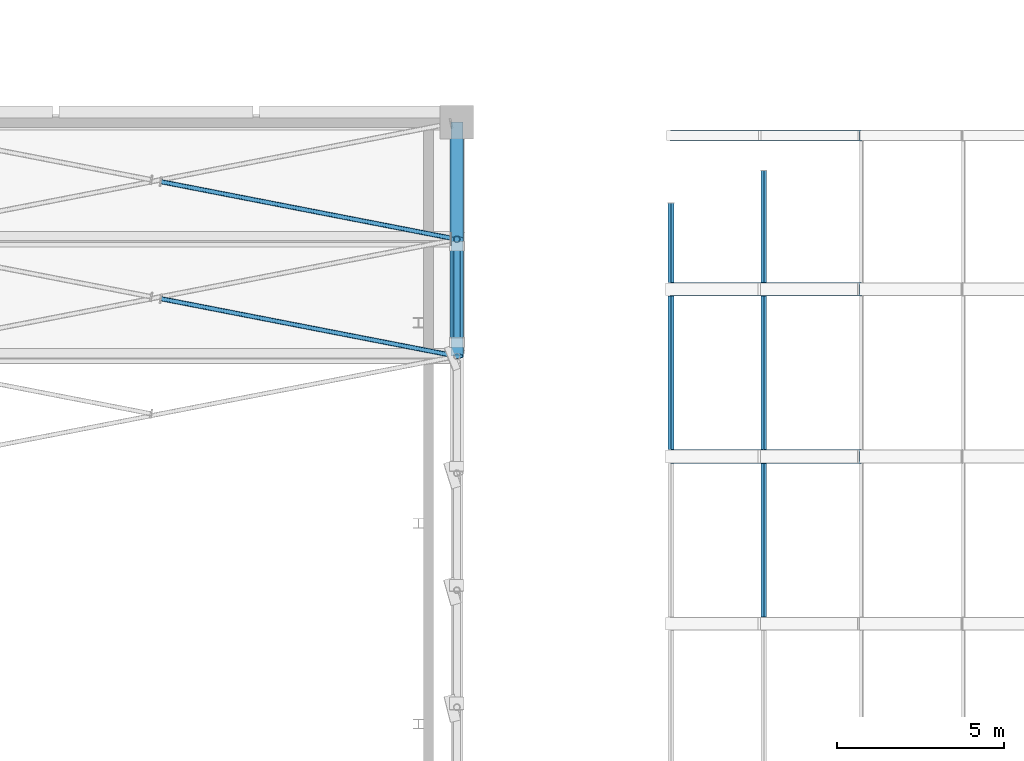
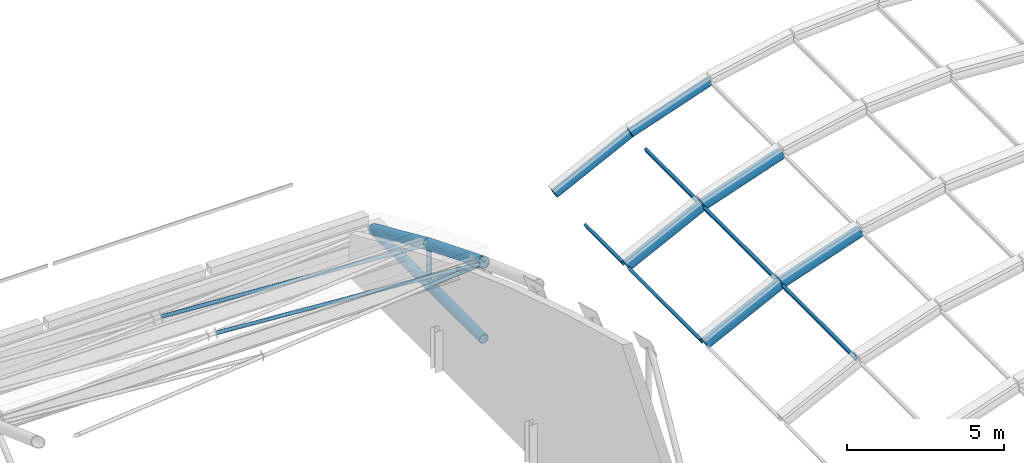
# One storey, part 90 of 196: 18 members.
"""IFC4 building model written with IfcOpenShell, lengths in metres."""

from ifc_helpers import new_model, si_unit, direction, frame, origin, origin_2d, place, context, subcontext, project, spatial, hollow_rectangle, hollow_circle, extrude, material, material_profile, profile_set, type_object, element, save


model = new_model("IFC4")

# Units and contexts
model_context = context("Model", 3, precision=1e-05, world=origin(), true_north=direction((0.0, 1.0)))
body_context = subcontext(model_context, "Body", "Model", "MODEL_VIEW")
ifc_project = project(units=[si_unit("LENGTHUNIT", "METRE"), si_unit("AREAUNIT", "SQUARE_METRE"), si_unit("VOLUMEUNIT", "CUBIC_METRE"), si_unit("PLANEANGLEUNIT", "RADIAN"), si_unit("MASSUNIT", "GRAM", prefix="KILO")], contexts=[model_context])

# Site, building, storey
site_placement = place(None, origin())
site = spatial("IfcSite", under=ifc_project, at=site_placement, CompositionType="ELEMENT")
building_placement = place(site_placement, origin())
building = spatial("IfcBuilding", under=site, at=building_placement, Name="Okhra Congress Centre", CompositionType="ELEMENT")
storey_placement = place(building_placement, frame((0.0, 0.0, 12.0)))
storey = spatial("IfcBuildingStorey", under=building, at=storey_placement, Name="L02", CompositionType="ELEMENT", Elevation=12.0)

# Members
ifc_material_1 = material(Name="Steel S355J2H", Category="steel")
ifc_material_profile_1 = material_profile(ifc_material_1, hollow_circle(Radius=0.06982421875, WallThickness=0.00634765625, at=origin_2d()), Name="CHS 139.7x6.3")
ifc_profile_set_1 = profile_set([ifc_material_profile_1], Name="Steel S355J2H")
member_type_1 = type_object("IfcMemberType", Name="CHS 139.7x6.3", PredefinedType="BRACE", material=ifc_profile_set_1)
member_1_placement = place(storey_placement, frame((153.814453125, 209.0361328125, 4.359619140625), z_axis=(-0.97874056041, 0.19029150725, -0.076524882736), x_axis=(-0.190851145429, -0.981618989368, 0.0)))
element("IfcMember", 1, at=member_1_placement, inside=storey, type_object=member_type_1, Name="EH.MEM.L02.XB7-23-2a", PredefinedType="BRACE", context=body_context, shape_type="SweptSolid", body=[
    extrude(hollow_circle(Radius=0.06982421875, WallThickness=0.00634765625, at=origin_2d()), origin(), (0.0, 0.0, 1.0), 8.85009765625),
])
member_2_placement = place(storey_placement, frame((153.814453125, 212.5361328125, 2.95068359375), z_axis=(-0.978051270157, 0.190181228948, -0.085128215653), x_axis=(-0.190874100976, -0.98161452596, 0.0)))
element("IfcMember", 2, at=member_2_placement, inside=storey, type_object=member_type_1, Name="EH.MEM.L02.XB7-24-2a", PredefinedType="BRACE", context=body_context, shape_type="SweptSolid", body=[
    extrude(hollow_circle(Radius=0.06982421875, WallThickness=0.00634765625, at=origin_2d()), origin(), (0.0, 0.0, 1.0), 8.85888671875),
])
ifc_material_profile_2 = material_profile(ifc_material_1, hollow_circle(Radius=0.096923828125, WallThickness=0.012451171875, at=origin_2d()), Name="CHS 193.7x12.5")
ifc_profile_set_2 = profile_set([ifc_material_profile_2], Name="Steel S355J2H")
member_type_2 = type_object("IfcMemberType", Name="CHS 193.7x12.5", PredefinedType="POST", material=ifc_profile_set_2)
member_3_placement = place(storey_placement, frame((154.0, 212.5, 1.577880859375), z_axis=(0.0, 0.0, 1.0), x_axis=(1.0, 0.0, 0.0)))
element("IfcMember", 3, at=member_3_placement, inside=storey, type_object=member_type_2, Name="EH.MEM.L02.T8-VER-23", PredefinedType="POST", context=body_context, shape_type="SweptSolid", body=[
    extrude(hollow_circle(Radius=0.096923828125, WallThickness=0.012451171875, at=origin_2d()), origin(), (0.0, 0.0, 1.0), 1.168212890625),
])
ifc_material_profile_3 = material_profile(ifc_material_1, hollow_circle(Radius=0.109619140625, WallThickness=0.012451171875, at=origin_2d()), Name="CHS 219.1x12.5")
ifc_profile_set_3 = profile_set([ifc_material_profile_3], Name="Steel S355J2H")
member_type_3 = type_object("IfcMemberType", Name="CHS 219.1x12.5", PredefinedType="BRACE", material=ifc_profile_set_3)
member_4_placement = place(storey_placement, frame((154.0, 209.42578125, 4.01220703125), z_axis=(0.0, 0.76205947483, -0.647507032257), x_axis=(-1.0, 0.0, 0.0)))
element("IfcMember", 4, at=member_4_placement, inside=storey, type_object=member_type_3, Name="EH.MEM.L02.T8-DIA-22", PredefinedType="BRACE", context=body_context, shape_type="SweptSolid", body=[
    extrude(hollow_circle(Radius=0.109619140625, WallThickness=0.012451171875, at=origin_2d()), origin(), (0.0, 0.0, 1.0), 3.759521484375),
])
ifc_material_profile_4 = material_profile(ifc_material_1, hollow_circle(Radius=0.177734375, WallThickness=0.02490234375, at=origin_2d()), Name="CHS 355.6x25.0")
ifc_profile_set_4 = profile_set([ifc_material_profile_4], Name="Steel S355J2H")
member_type_4 = type_object("IfcMemberType", Name="CHS 355.6x25.0", PredefinedType="CHORD", material=ifc_profile_set_4)
member_5_placement = place(storey_placement, frame((154.0, 209.0, 1.39990234375), z_axis=(0.0, 1.0, 0.0), x_axis=(-1.0, 0.0, 0.0)))
element("IfcMember", 5, at=member_5_placement, inside=storey, type_object=member_type_4, Name="EH.MEM.L02.T8-BOT-12", PredefinedType="CHORD", context=body_context, shape_type="SweptSolid", body=[
    extrude(hollow_circle(Radius=0.177734375, WallThickness=0.02490234375, at=origin_2d()), origin(), (0.0, 0.0, 1.0), 7.0),
])
ifc_material_profile_5 = material_profile(ifc_material_1, hollow_circle(Radius=0.203125, WallThickness=0.02490234375, at=origin_2d()), Name="CHS 406.4x25.0")
ifc_profile_set_5 = profile_set([ifc_material_profile_5], Name="Steel S355J2H")
member_type_5 = type_object("IfcMemberType", Name="CHS 406.4x25.0", PredefinedType="CHORD", material=ifc_profile_set_5)
member_6_placement = place(storey_placement, frame((154.0, 209.0, 4.3740234375), z_axis=(0.0, 0.927814639871, -0.373041544658), x_axis=(-1.0, 0.0, 0.0)))
element("IfcMember", 6, at=member_6_placement, inside=storey, type_object=member_type_5, Name="EH.MEM.L02.T8-TOP-23", PredefinedType="CHORD", context=body_context, shape_type="SweptSolid", body=[
    extrude(hollow_circle(Radius=0.203125, WallThickness=0.02490234375, at=origin_2d()), origin(), (0.0, 0.0, 1.0), 3.772216796875),
])
member_7_placement = place(storey_placement, frame((154.0, 212.5, 2.966796875), z_axis=(0.0, 0.912710800597, -0.408606160591), x_axis=(-1.0, 0.0, 0.0)))
element("IfcMember", 7, at=member_7_placement, inside=storey, type_object=member_type_5, Name="EH.MEM.L02.T8-TOP-24", PredefinedType="CHORD", context=body_context, shape_type="SweptSolid", body=[
    extrude(hollow_circle(Radius=0.203125, WallThickness=0.02490234375, at=origin_2d()), origin(), (0.0, 0.0, 1.0), 3.834716796875),
])
ifc_material_2 = material(Name="Steel S355J2", Category="steel")
ifc_material_profile_6 = material_profile(ifc_material_2, hollow_rectangle(XDim=0.10009765625, YDim=0.199951171875, WallThickness=0.008056640625, at=origin_2d()), Name="RHS 200x100x8")
ifc_profile_set_6 = profile_set([ifc_material_profile_6], Name="Steel S355J2")
member_type_6 = type_object("IfcMemberType", Name="Steel purlin RHS 200x100x8", PredefinedType="PURLIN", material=ifc_profile_set_6)
for number, where, z_axis, x_axis, name in (
    (8, (163.1826171875, 201.203125, 2.156494140625), (0.0, 1.0, 0.0), (-0.922668973833, 0.0, -0.38559300399), "Vault purlin 26.3"),
    (9, (160.406982421875, 206.203125, 0.77490234375), (0.0, 1.0, 0.0), (-0.86391685861, 0.0, -0.503634452167), "Vault purlin 27.2"),
    (10, (163.1826171875, 206.203125, 2.156494140625), (0.0, 1.0, 0.0), (-0.922668973833, 0.0, -0.38559300399), "Vault purlin 27.3"),
):
    element("IfcMember", number, at=place(storey_placement, frame(where, z_axis=z_axis, x_axis=x_axis)), inside=storey, type_object=member_type_6, Name=name, PredefinedType="PURLIN", context=body_context, shape_type="SweptSolid", body=[
        extrude(hollow_rectangle(XDim=0.10009765625, YDim=0.199951171875, WallThickness=0.008056640625, at=origin_2d()), origin(), (0.0, 0.0, 1.0), 4.59375),
    ])
member_8_placement = place(storey_placement, frame((160.406982421875, 211.203125, 0.77490234375), z_axis=(0.0, 1.0, 0.0), x_axis=(-0.86391685861, 0.0, -0.503634452167)))
element("IfcMember", 11, at=member_8_placement, inside=storey, type_object=member_type_6, Name="Vault purlin 28.2", PredefinedType="PURLIN", context=body_context, shape_type="SweptSolid", body=[
    extrude(hollow_rectangle(XDim=0.10009765625, YDim=0.199951171875, WallThickness=0.008056640625, at=origin_2d()), origin(), (0.0, 0.0, 1.0), 2.37939453125),
])
member_9_placement = place(storey_placement, frame((163.1826171875, 211.203125, 2.156494140625), z_axis=(0.0, 1.0, 0.0), x_axis=(-0.922668973833, 0.0, -0.38559300399)))
element("IfcMember", 12, at=member_9_placement, inside=storey, type_object=member_type_6, Name="Vault purlin 28.3", PredefinedType="PURLIN", context=body_context, shape_type="SweptSolid", body=[
    extrude(hollow_rectangle(XDim=0.10009765625, YDim=0.199951171875, WallThickness=0.008056640625, at=origin_2d()), origin(), (0.0, 0.0, 1.0), 3.350830078125),
])
ifc_material_profile_7 = material_profile(ifc_material_2, hollow_circle(Radius=0.203125, WallThickness=0.01611328125, at=origin_2d()), Name="CHS 406.4x16")
ifc_profile_set_7 = profile_set([ifc_material_profile_7], Name="Steel S355J2")
member_type_7 = type_object("IfcMemberType", Name="Tubular steel arch rib CHS 406x16", PredefinedType="USERDEFINED", material=ifc_profile_set_7)
for number, where, z_axis, x_axis, name in (
    (13, (160.406494140625, 206.0, 0.802490234375), (0.895219276519, 0.0, 0.44562590471), (0.0, 1.0, 0.0), "Arch rib 27.3"),
    (14, (163.185791015625, 206.0, 2.18408203125), (0.946089135599, 0.0, 0.323906386942), (0.0, 1.0, 0.0), "Arch rib 27.4"),
    (15, (160.406494140625, 211.0, 0.802490234375), (0.895219276519, 0.0, 0.44562590471), (0.0, 1.0, 0.0), "Arch rib 28.3"),
    (16, (163.185791015625, 211.0, 2.18408203125), (0.946089135599, 0.0, 0.323906386942), (0.0, 1.0, 0.0), "Arch rib 28.4"),
):
    element("IfcMember", number, at=place(storey_placement, frame(where, z_axis=z_axis, x_axis=x_axis)), inside=storey, type_object=member_type_7, Name=name, ObjectType="Arch rib", PredefinedType="USERDEFINED", context=body_context, shape_type="SweptSolid", body=[
        extrude(hollow_circle(Radius=0.203125, WallThickness=0.01611328125, at=origin_2d()), origin(), (0.0, 0.0, 1.0), 3.07666015625),
    ])
ifc_material_profile_8 = material_profile(ifc_material_2, hollow_circle(Radius=0.161865234375, WallThickness=0.012451171875, at=origin_2d()), Name="CHS 323.9x12.5")
ifc_profile_set_8 = profile_set([ifc_material_profile_8], Name="Steel S355J2")
member_type_8 = type_object("IfcMemberType", Name="Tubular steel gable arch CHS 324x12.5", PredefinedType="USERDEFINED", material=ifc_profile_set_8)
for number, where, z_axis, x_axis, name in (
    (17, (160.404052734375, 215.60009765625, 0.80126953125), (0.895217876098, 0.0, 0.445628718008), (0.0, 1.0, 0.0), "Arch rib 29.3"),
    (18, (163.183349609375, 215.60009765625, 2.18310546875), (0.946069463767, 0.0, 0.323963840155), (0.0, 1.0, 0.0), "Arch rib 29.4"),
):
    element("IfcMember", number, at=place(storey_placement, frame(where, z_axis=z_axis, x_axis=x_axis)), inside=storey, type_object=member_type_8, Name=name, ObjectType="Arch rib", PredefinedType="USERDEFINED", context=body_context, shape_type="SweptSolid", body=[
        extrude(hollow_circle(Radius=0.161865234375, WallThickness=0.012451171875, at=origin_2d()), origin(), (0.0, 0.0, 1.0), 3.082275390625),
    ])

save(model, "model.ifc")
